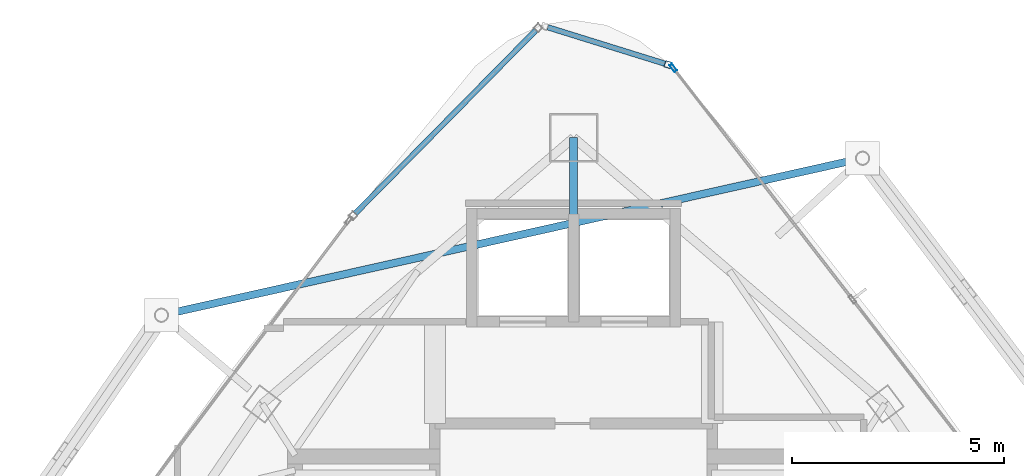
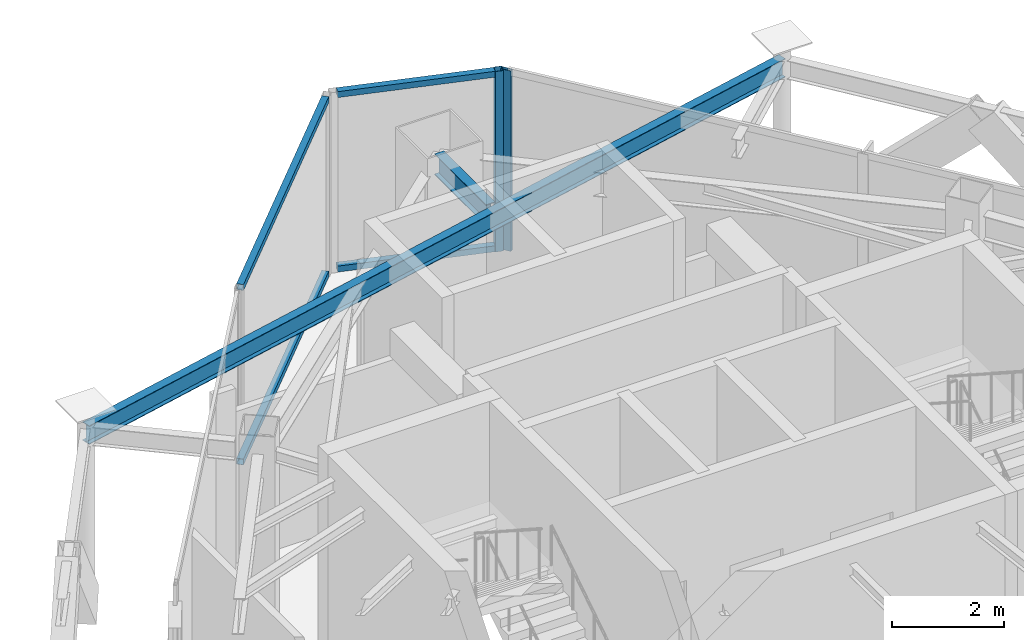
# One storey, part 16 of 22: 6 members, 2 beams, 3 elements without a shape of their own.
"""IFC4 building model written with IfcOpenShell, lengths in metres."""

from ifc_helpers import new_model, si_unit, direction, frame, origin, origin_2d, place, context, subcontext, project, spatial, hollow_rectangle, i_section, extrude, material, layer, layer_set, material_profile, profile_set, type_object, element, aggregate, save


model = new_model("IFC4")

# Units and contexts
model_context = context("Model", 3, precision=1e-05, world=origin(), true_north=direction((0.0, 1.0)))
body_context = subcontext(model_context, "Body", "Model", "MODEL_VIEW")
ifc_project = project(units=[si_unit("LENGTHUNIT", "METRE"), si_unit("AREAUNIT", "SQUARE_METRE"), si_unit("VOLUMEUNIT", "CUBIC_METRE"), si_unit("PLANEANGLEUNIT", "RADIAN"), si_unit("MASSUNIT", "GRAM", prefix="KILO")], contexts=[model_context])

# Site, building, storey
site_placement = place(None, origin())
site = spatial("IfcSite", under=ifc_project, at=site_placement, CompositionType="ELEMENT")
building_placement = place(site_placement, origin())
building = spatial("IfcBuilding", under=site, at=building_placement, Name="Orvanel Arch Residences", CompositionType="ELEMENT")
storey_placement = place(building_placement, frame((0.0, 0.0, 276.64990234375)))
storey = spatial("IfcBuildingStorey", under=building, at=storey_placement, Name="L79", CompositionType="ELEMENT", Elevation=276.64990234375)

# Beam
ifc_material_1 = material(Name="Structural steel AS/NZS 3679.1 Grade 300 (300 MPa)", Category="steel")
ifc_material_profile_1 = material_profile(ifc_material_1, i_section(OverallWidth=0.19091796875, OverallDepth=0.4599609375, WebThickness=0.010009765625, FlangeThickness=0.01611328125, at=origin_2d()), Name="460UB82.1")
ifc_profile_set_1 = profile_set([ifc_material_profile_1], Name="Structural steel AS/NZS 3679.1 Grade 300 (300 MPa)")
beam_type_1 = type_object("IfcBeamType", Name="BG-460UB", PredefinedType="BEAM", material=ifc_profile_set_1)
beam_1_placement = place(storey_placement, frame((33.0, 39.550048828125, 3.72021484375), z_axis=(0.0, 1.0, 0.0), x_axis=(-1.0, 0.0, 0.0)))
element("IfcBeam", 1, at=beam_1_placement, inside=storey, type_object=beam_type_1, Name="L79 North Radial Girder", PredefinedType="BEAM", context=body_context, shape_type="SweptSolid", body=[
    extrude(i_section(OverallWidth=0.19091796875, OverallDepth=0.4599609375, WebThickness=0.010009765625, FlangeThickness=0.01611328125, at=origin_2d()), origin(), (0.0, 0.0, 1.0), 1.847900390625),
])

# Curtain wall, member
ifc_material_2 = material(Name="Bronze-anodised aluminium AA6063-T6", Category="aluminium")
ifc_layer_1 = layer(ifc_material_2, 0.18994140625)
ifc_layer_set_1 = layer_set([ifc_layer_1], Name="Bronze-anodised aluminium AA6063-T6")
curtain_wall_type_1 = type_object("IfcCurtainWallType", Name="CW5-CRN-SYS", PredefinedType="NOTDEFINED", material=ifc_layer_set_1)
curtain_wall_1_placement = place(storey_placement, origin())
curtain_wall_1 = element("IfcCurtainWall", 2, at=curtain_wall_1_placement, inside=storey, type_object=curtain_wall_type_1, Name="L79 CW5-CRN-SYS Unitised Curtain Wall", PredefinedType="NOTDEFINED")
ifc_material_profile_2 = material_profile(ifc_material_2, hollow_rectangle(XDim=0.14990234375, YDim=0.14990234375, WallThickness=0.0048828125, at=origin_2d()), Name="ALU150x150x5")
ifc_profile_set_2 = profile_set([ifc_material_profile_2], Name="Bronze-anodised aluminium AA6063-T6")
member_type_1 = type_object("IfcMemberType", Name="MUL-150x150", PredefinedType="MULLION", material=ifc_profile_set_2)
member_1_placement = place(storey_placement, frame((35.226318359375, 43.123291015625, 0.0), z_axis=(0.0, 0.0, 1.0), x_axis=(-0.297009481748, -0.954874529848, 0.0)))
member_1 = element("IfcMember", 3, at=member_1_placement, type_object=member_type_1, Name="CW-S5 mullion 1", PredefinedType="MULLION", context=body_context, shape_type="SweptSolid", body=[
    extrude(hollow_rectangle(XDim=0.14990234375, YDim=0.14990234375, WallThickness=0.0048828125, at=origin_2d()), origin(), (0.0, 0.0, 1.0), 3.9501953125),
])

ifc_layer_2 = layer(ifc_material_2, 0.195068359375)
ifc_layer_set_2 = layer_set([ifc_layer_2], Name="Bronze-anodised aluminium AA6063-T6")
curtain_wall_type_2 = type_object("IfcCurtainWallType", Name="CW6-COM-SYS", PredefinedType="NOTDEFINED", material=ifc_layer_set_2)
curtain_wall_2_placement = place(storey_placement, origin())
curtain_wall_2 = element("IfcCurtainWall", 4, at=curtain_wall_2_placement, inside=storey, type_object=curtain_wall_type_2, Name="L79 CW6-COM-SYS Unitised Curtain Wall", PredefinedType="NOTDEFINED")
ifc_material_profile_3 = material_profile(ifc_material_2, hollow_rectangle(XDim=0.074951171875, YDim=0.199951171875, WallThickness=0.0048828125, at=origin_2d()), Name="ALU200x75x5")
ifc_profile_set_3 = profile_set([ifc_material_profile_3], Name="Bronze-anodised aluminium AA6063-T6")
member_type_2 = type_object("IfcMemberType", Name="MUL-200x75", PredefinedType="MULLION", material=ifc_profile_set_3)
member_2_placement = place(storey_placement, frame((35.35205078125, 43.04931640625, 0.0), z_axis=(0.0, 0.0, 1.0), x_axis=(-0.790837129948, -0.612026661099, 0.0)))
member_2 = element("IfcMember", 5, at=member_2_placement, type_object=member_type_2, Name="CW-S6 mullion 3", PredefinedType="MULLION", context=body_context, shape_type="SweptSolid", body=[
    extrude(hollow_rectangle(XDim=0.074951171875, YDim=0.199951171875, WallThickness=0.0048828125, at=origin_2d()), origin(), (0.0, 0.0, 1.0), 3.9501953125),
])
aggregate(curtain_wall_2, [member_2])

# Beam
ifc_material_profile_4 = material_profile(ifc_material_1, i_section(OverallWidth=0.177978515625, OverallDepth=0.406005859375, WebThickness=0.0078125, FlangeThickness=0.0126953125, at=origin_2d()), Name="410UB59.7")
ifc_profile_set_4 = profile_set([ifc_material_profile_4], Name="Structural steel AS/NZS 3679.1 Grade 300 (300 MPa)")
beam_type_2 = type_object("IfcBeamType", Name="OB-410UB-EXT", PredefinedType="SPANDREL", material=ifc_profile_set_4)
beam_2_placement = place(storey_placement, frame((39.822998046875, 40.9130859375, 3.7470703125), z_axis=(-0.975846574662, -0.218457004282, 0.0), x_axis=(0.218457004282, -0.975846574662, 0.0)))
element("IfcBeam", 6, at=beam_2_placement, inside=storey, type_object=beam_type_2, Name="L79 Outer Perimeter Floor Ring Beam 12", PredefinedType="SPANDREL", context=body_context, shape_type="SweptSolid", body=[
    extrude(i_section(OverallWidth=0.177978515625, OverallDepth=0.406005859375, WebThickness=0.0078125, FlangeThickness=0.0126953125, at=origin_2d()), origin(), (0.0, 0.0, 1.0), 16.964599609375),
])

# Member
ifc_material_profile_5 = material_profile(ifc_material_2, hollow_rectangle(XDim=0.1298828125, YDim=0.1298828125, WallThickness=0.00439453125, at=origin_2d()), Name="ALU130x130x4.5")
ifc_profile_set_5 = profile_set([ifc_material_profile_5], Name="Bronze-anodised aluminium AA6063-T6")
member_type_3 = type_object("IfcMemberType", Name="TRN-130x130", PredefinedType="USERDEFINED", material=ifc_profile_set_5)
member_3_placement = place(storey_placement, frame((35.15478515625, 43.1455078125, 0.065185546875), z_axis=(-0.954881223543, 0.296987960908, 0.0), x_axis=(-0.296987960908, -0.954881223543, 0.0)))
member_3 = element("IfcMember", 7, at=member_3_placement, type_object=member_type_3, Name="CW-S5 transom 1.1", ObjectType="TRANSOM", PredefinedType="USERDEFINED", context=body_context, shape_type="SweptSolid", body=[
    extrude(hollow_rectangle(XDim=0.1298828125, YDim=0.1298828125, WallThickness=0.00439453125, at=origin_2d()), origin(), (0.0, 0.0, 1.0), 2.895263671875),
])

member_4_placement = place(storey_placement, frame((35.15478515625, 43.1455078125, 3.885009765625), z_axis=(-0.954881223543, 0.296987960908, 0.0), x_axis=(-0.296987960908, -0.954881223543, 0.0)))
member_4 = element("IfcMember", 8, at=member_4_placement, type_object=member_type_3, Name="CW-S5 transom 1.2", ObjectType="TRANSOM", PredefinedType="USERDEFINED", context=body_context, shape_type="SweptSolid", body=[
    extrude(hollow_rectangle(XDim=0.1298828125, YDim=0.1298828125, WallThickness=0.00439453125, at=origin_2d()), origin(), (0.0, 0.0, 1.0), 2.895263671875),
])

aggregate(curtain_wall_1, [member_1, member_3, member_4])

# Curtain wall, members
curtain_wall_3_placement = place(storey_placement, origin())
curtain_wall_3 = element("IfcCurtainWall", 9, at=curtain_wall_3_placement, inside=storey, type_object=curtain_wall_type_1, Name="L79 CW5-CRN-SYS Unitised Curtain Wall", PredefinedType="NOTDEFINED")
member_5_placement = place(storey_placement, frame((32.108642578125, 43.93505859375, 0.065185546875), z_axis=(-0.702004427511, -0.712172580036, 0.0), x_axis=(0.712172580036, -0.702004427511, 0.0)))
member_5 = element("IfcMember", 10, at=member_5_placement, type_object=member_type_3, Name="CW-S5 transom 1.1", ObjectType="TRANSOM", PredefinedType="USERDEFINED", context=body_context, shape_type="SweptSolid", body=[
    extrude(hollow_rectangle(XDim=0.1298828125, YDim=0.1298828125, WallThickness=0.00439453125, at=origin_2d()), origin(), (0.0, 0.0, 1.0), 6.07470703125),
])
member_6_placement = place(storey_placement, frame((32.108642578125, 43.93505859375, 3.885009765625), z_axis=(-0.702004427511, -0.712172580036, 0.0), x_axis=(0.712172580036, -0.702004427511, 0.0)))
member_6 = element("IfcMember", 11, at=member_6_placement, type_object=member_type_3, Name="CW-S5 transom 1.2", ObjectType="TRANSOM", PredefinedType="USERDEFINED", context=body_context, shape_type="SweptSolid", body=[
    extrude(hollow_rectangle(XDim=0.1298828125, YDim=0.1298828125, WallThickness=0.00439453125, at=origin_2d()), origin(), (0.0, 0.0, 1.0), 6.07470703125),
])
aggregate(curtain_wall_3, [member_5, member_6])

save(model, "model.ifc")
